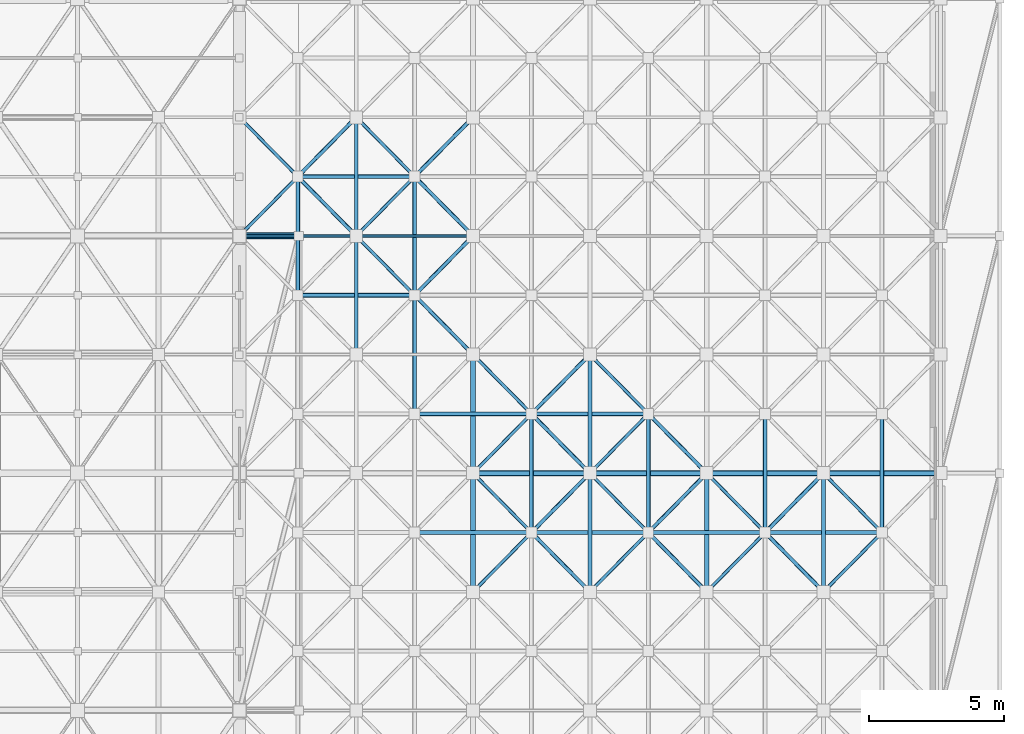
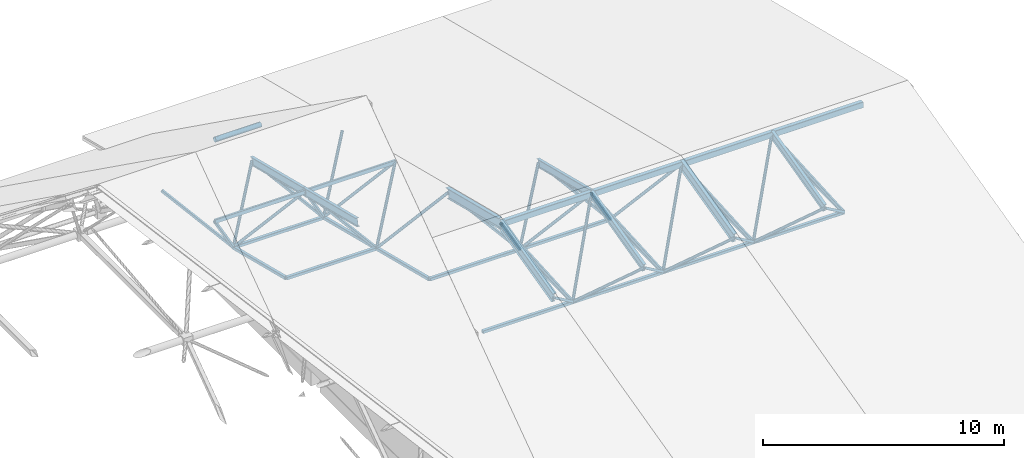
# One storey, part 29 of 55: 62 members.
"""IFC4 building model written with IfcOpenShell, lengths in metres."""

from ifc_helpers import new_model, si_unit, direction, frame, origin, origin_2d, place, context, subcontext, project, spatial, hollow_rectangle, hollow_circle, i_section, extrude, material, material_profile, profile_set, type_object, element, save


model = new_model("IFC4")

# Units and contexts
model_context = context("Model", 3, precision=1e-05, world=origin(), true_north=direction((0.0, 1.0)))
body_context = subcontext(model_context, "Body", "Model", "MODEL_VIEW")
ifc_project = project(units=[si_unit("LENGTHUNIT", "METRE"), si_unit("AREAUNIT", "SQUARE_METRE"), si_unit("VOLUMEUNIT", "CUBIC_METRE"), si_unit("PLANEANGLEUNIT", "RADIAN"), si_unit("MASSUNIT", "GRAM", prefix="KILO")], contexts=[model_context])

# Site, building, storey
site_placement = place(None, origin())
site = spatial("IfcSite", under=ifc_project, at=site_placement, CompositionType="ELEMENT")
building_placement = place(site_placement, origin())
building = spatial("IfcBuilding", under=site, at=building_placement, Name="Varnakota Cinema and Media Centre", CompositionType="ELEMENT")
storey_placement = place(building_placement, frame((0.0, 0.0, 15.60009765625)))
storey = spatial("IfcBuildingStorey", under=building, at=storey_placement, Name="L04", CompositionType="ELEMENT", Elevation=15.60009765625)

# Members
ifc_material_1 = material(Name="Structural steel S355 (YSt 355)", Category="steel")
ifc_material_profile_1 = material_profile(ifc_material_1, hollow_circle(Radius=0.06982421875, WallThickness=0.006103515625, at=origin_2d()), Name="CHS 139.7x6.0")
ifc_profile_set_1 = profile_set([ifc_material_profile_1], Name="Structural steel S355 (YSt 355)")
member_type_1 = type_object("IfcMemberType", Name="MEM-ST-CHS139_7x6_0", PredefinedType="CHORD", material=ifc_profile_set_1)
member_1_placement = place(storey_placement, frame((137.166748046875, 28.60009765625, -0.9501953125), z_axis=(0.471697516726, -0.479032907453, 0.740289758333), x_axis=(0.7125412777, 0.701630192889, 0.0)))
element("IfcMember", 1, at=member_1_placement, inside=storey, type_object=member_type_1, Name="V2 space-truss diagonal 1.7.2", PredefinedType="CHORD", context=body_context, shape_type="SweptSolid", body=[
    extrude(hollow_circle(Radius=0.06982421875, WallThickness=0.006103515625, at=origin_2d()), origin(), (0.0, 0.0, 1.0), 4.593017578125),
])
member_2_placement = place(storey_placement, frame((137.166748046875, 28.60009765625, -0.9501953125), z_axis=(0.562704581049, 0.571391816523, 0.59739011247), x_axis=(-0.712502351494, 0.701669722246, 0.0)))
element("IfcMember", 2, at=member_2_placement, inside=storey, type_object=member_type_1, Name="V2 space-truss diagonal 1.7.4", PredefinedType="CHORD", context=body_context, shape_type="SweptSolid", body=[
    extrude(hollow_circle(Radius=0.06982421875, WallThickness=0.006103515625, at=origin_2d()), origin(), (0.0, 0.0, 1.0), 3.85009765625),
])
member_3_placement = place(storey_placement, frame((141.5, 24.199951171875, 0.14990234375), z_axis=(0.47176941823, -0.478998786216, 0.74026601896), x_axis=(0.712462822052, 0.701709859695, 0.0)))
element("IfcMember", 3, at=member_3_placement, inside=storey, type_object=member_type_1, Name="V2 space-truss diagonal 2.6.2", PredefinedType="CHORD", context=body_context, shape_type="SweptSolid", body=[
    extrude(hollow_circle(Radius=0.06982421875, WallThickness=0.006103515625, at=origin_2d()), origin(), (0.0, 0.0, 1.0), 4.5927734375),
])
member_4_placement = place(storey_placement, frame((141.5, 24.199951171875, 0.14990234375), z_axis=(0.562747911139, 0.571371428425, 0.597368796714), x_axis=(-0.712462822052, 0.701709859695, 0.0)))
element("IfcMember", 4, at=member_4_placement, inside=storey, type_object=member_type_1, Name="V2 space-truss diagonal 2.6.4", PredefinedType="CHORD", context=body_context, shape_type="SweptSolid", body=[
    extrude(hollow_circle(Radius=0.06982421875, WallThickness=0.006103515625, at=origin_2d()), origin(), (0.0, 0.0, 1.0), 3.850341796875),
])
member_5_placement = place(storey_placement, frame((141.5, 28.60009765625, -0.9501953125), z_axis=(0.471738843265, -0.479020896395, 0.740271196638), x_axis=(0.712501750553, 0.701670332463, 0.0)))
element("IfcMember", 5, at=member_5_placement, inside=storey, type_object=member_type_1, Name="V2 space-truss diagonal 2.7.2", PredefinedType="CHORD", context=body_context, shape_type="SweptSolid", body=[
    extrude(hollow_circle(Radius=0.06982421875, WallThickness=0.006103515625, at=origin_2d()), origin(), (0.0, 0.0, 1.0), 4.593017578125),
])
member_6_placement = place(storey_placement, frame((141.5, 28.60009765625, -0.9501953125), z_axis=(0.562747911139, 0.571371428425, 0.597368796714), x_axis=(-0.712462822052, 0.701709859695, 0.0)))
element("IfcMember", 6, at=member_6_placement, inside=storey, type_object=member_type_1, Name="V2 space-truss diagonal 2.7.4", PredefinedType="CHORD", context=body_context, shape_type="SweptSolid", body=[
    extrude(hollow_circle(Radius=0.06982421875, WallThickness=0.006103515625, at=origin_2d()), origin(), (0.0, 0.0, 1.0), 3.850341796875),
])
member_7_placement = place(storey_placement, frame((145.833251953125, 15.39990234375, 1.25), z_axis=(0.562769227034, -0.571393070964, 0.597328013371), x_axis=(0.712462822052, 0.701709859695, 0.0)))
element("IfcMember", 7, at=member_7_placement, inside=storey, type_object=member_type_1, Name="V2 space-truss diagonal 3.4.2", PredefinedType="CHORD", context=body_context, shape_type="SweptSolid", body=[
    extrude(hollow_circle(Radius=0.06982421875, WallThickness=0.006103515625, at=origin_2d()), origin(), (0.0, 0.0, 1.0), 3.85009765625),
])
member_8_placement = place(storey_placement, frame((145.833251953125, 15.39990234375, 1.25), z_axis=(0.471757405737, 0.479039745409, 0.740247169836), x_axis=(-0.712501750553, 0.701670332463, 0.0)))
element("IfcMember", 8, at=member_8_placement, inside=storey, type_object=member_type_1, Name="V2 space-truss diagonal 3.4.4", PredefinedType="CHORD", context=body_context, shape_type="SweptSolid", body=[
    extrude(hollow_circle(Radius=0.06982421875, WallThickness=0.006103515625, at=origin_2d()), origin(), (0.0, 0.0, 1.0), 4.593017578125),
])
member_9_placement = place(storey_placement, frame((145.833251953125, 19.800048828125, 1.25), z_axis=(0.47176941823, -0.478998786216, 0.74026601896), x_axis=(0.712462822052, 0.701709859695, 0.0)))
element("IfcMember", 9, at=member_9_placement, inside=storey, type_object=member_type_1, Name="V2 space-truss diagonal 3.5.2", PredefinedType="CHORD", context=body_context, shape_type="SweptSolid", body=[
    extrude(hollow_circle(Radius=0.06982421875, WallThickness=0.006103515625, at=origin_2d()), origin(), (0.0, 0.0, 1.0), 4.5927734375),
])
for number, where, z_axis, x_axis, name in (
    (10, (145.833251953125, 19.800048828125, 1.25), (0.562769227034, 0.571393070964, 0.597328013371), (-0.712462822052, 0.701709859695, 0.0), "V2 space-truss diagonal 3.5.4"),
    (11, (150.166748046875, 15.39990234375, 1.25), (0.562725896824, -0.571413461379, 0.597349329286), (0.712502351494, 0.701669722246, 0.0), "V2 space-truss diagonal 4.4.2"),
):
    element("IfcMember", number, at=place(storey_placement, frame(where, z_axis=z_axis, x_axis=x_axis)), inside=storey, type_object=member_type_1, Name=name, PredefinedType="CHORD", context=body_context, shape_type="SweptSolid", body=[
        extrude(hollow_circle(Radius=0.06982421875, WallThickness=0.006103515625, at=origin_2d()), origin(), (0.0, 0.0, 1.0), 3.85009765625),
    ])
for number, where, z_axis, x_axis, name in (
    (12, (150.166748046875, 15.39990234375, 1.25), (0.471716078502, 0.479051757884, 0.74026573239), (-0.7125412777, 0.701630192889, 0.0), "V2 space-truss diagonal 4.4.4"),
    (13, (150.166748046875, 19.800048828125, 1.25), (0.471728090545, -0.479010798276, 0.740284582931), (0.712502351494, 0.701669722246, 0.0), "V2 space-truss diagonal 4.5.2"),
):
    element("IfcMember", number, at=place(storey_placement, frame(where, z_axis=z_axis, x_axis=x_axis)), inside=storey, type_object=member_type_1, Name=name, PredefinedType="CHORD", context=body_context, shape_type="SweptSolid", body=[
        extrude(hollow_circle(Radius=0.06982421875, WallThickness=0.006103515625, at=origin_2d()), origin(), (0.0, 0.0, 1.0), 4.5927734375),
    ])
member_10_placement = place(storey_placement, frame((154.5, 15.39990234375, 1.25), z_axis=(0.562769227034, -0.571393070964, 0.597328013371), x_axis=(0.712462822052, 0.701709859695, 0.0)))
element("IfcMember", 14, at=member_10_placement, inside=storey, type_object=member_type_1, Name="V2 space-truss diagonal 5.4.2", PredefinedType="CHORD", context=body_context, shape_type="SweptSolid", body=[
    extrude(hollow_circle(Radius=0.06982421875, WallThickness=0.006103515625, at=origin_2d()), origin(), (0.0, 0.0, 1.0), 3.85009765625),
])
member_11_placement = place(storey_placement, frame((154.5, 15.39990234375, 1.25), z_axis=(0.471757405737, 0.479039745409, 0.740247169836), x_axis=(-0.712501750553, 0.701670332463, 0.0)))
element("IfcMember", 15, at=member_11_placement, inside=storey, type_object=member_type_1, Name="V2 space-truss diagonal 5.4.4", PredefinedType="CHORD", context=body_context, shape_type="SweptSolid", body=[
    extrude(hollow_circle(Radius=0.06982421875, WallThickness=0.006103515625, at=origin_2d()), origin(), (0.0, 0.0, 1.0), 4.593017578125),
])
ifc_material_2 = material(Name="Structural steel S355 (YSt 355)", Category="steel")
ifc_material_profile_2 = material_profile(ifc_material_2, hollow_circle(Radius=0.122314453125, WallThickness=0.008056640625, at=origin_2d()), Name="CHS 244.5x8.0")
ifc_profile_set_2 = profile_set([ifc_material_profile_2], Name="Structural steel S355 (YSt 355)")
member_type_2 = type_object("IfcMemberType", Name="MEM-ST-CHS244_5x8_0", PredefinedType="CHORD", material=ifc_profile_set_2)
member_12_placement = place(storey_placement, frame((135.0, 26.39990234375, 6.599853515625), z_axis=(1.0, 0.0, 0.0), x_axis=(0.0, 1.0, 0.0)))
element("IfcMember", 16, at=member_12_placement, inside=storey, type_object=member_type_2, Name="V1 E gable space-frame outrigger 4", PredefinedType="CHORD", context=body_context, shape_type="SweptSolid", body=[
    extrude(hollow_circle(Radius=0.122314453125, WallThickness=0.008056640625, at=origin_2d()), origin(), (0.0, 0.0, 1.0), 2.199951171875),
])
ifc_material_3 = material(Name="Structural steel Grade 350 (E350)", Category="steel")
ifc_material_profile_3 = material_profile(ifc_material_3, i_section(OverallWidth=0.139892578125, OverallDepth=0.39990234375, WebThickness=0.0087890625, FlangeThickness=0.01611328125, FilletRadius=0.013916015625, at=origin_2d()), Name="ISMB 400")
ifc_profile_set_3 = profile_set([ifc_material_profile_3], Name="Structural steel Grade 350 (E350)")
member_type_3 = type_object("IfcMemberType", Name="MEM-ST-ISMB400", PredefinedType="RAFTER", material=ifc_profile_set_3)
member_13_placement = place(storey_placement, frame((139.333251953125, 22.0, 3.5498046875), z_axis=(0.0, 0.970148832916, -0.242510292547), x_axis=(-1.0, 0.0, 0.0)))
element("IfcMember", 17, at=member_13_placement, inside=storey, type_object=member_type_3, Name="V2 truss rafter 2.6", PredefinedType="RAFTER", context=body_context, shape_type="SweptSolid", body=[
    extrude(i_section(OverallWidth=0.139892578125, OverallDepth=0.39990234375, WebThickness=0.0087890625, FlangeThickness=0.01611328125, FilletRadius=0.013916015625, at=origin_2d()), origin(), (0.0, 0.0, 1.0), 4.535400390625),
])
for number, where, z_axis, x_axis, name in (
    (18, (139.333251953125, 26.39990234375, 2.449951171875), (0.0, 0.970139333719, -0.242548290392), (-1.0, 0.0, 0.0), "V2 truss rafter 2.7"),
    (19, (148.0, 13.199951171875, 3.5498046875), (0.0, 0.970139333719, 0.242548290392), (-1.0, 0.0, 0.0), "V2 truss rafter 4.4"),
):
    element("IfcMember", number, at=place(storey_placement, frame(where, z_axis=z_axis, x_axis=x_axis)), inside=storey, type_object=member_type_3, Name=name, PredefinedType="RAFTER", context=body_context, shape_type="SweptSolid", body=[
        extrude(i_section(OverallWidth=0.139892578125, OverallDepth=0.39990234375, WebThickness=0.0087890625, FlangeThickness=0.01611328125, FilletRadius=0.013916015625, at=origin_2d()), origin(), (0.0, 0.0, 1.0), 4.53564453125),
    ])
member_14_placement = place(storey_placement, frame((148.0, 17.60009765625, 4.64990234375), z_axis=(0.0, 0.970136166796, -0.242560957029), x_axis=(-1.0, 0.0, 0.0)))
element("IfcMember", 20, at=member_14_placement, inside=storey, type_object=member_type_3, Name="V2 truss rafter 4.5", PredefinedType="RAFTER", context=body_context, shape_type="SweptSolid", body=[
    extrude(i_section(OverallWidth=0.139892578125, OverallDepth=0.39990234375, WebThickness=0.0087890625, FlangeThickness=0.01611328125, FilletRadius=0.013916015625, at=origin_2d()), origin(), (0.0, 0.0, 1.0), 4.535400390625),
])
member_15_placement = place(storey_placement, frame((156.666748046875, 13.199951171875, 3.5498046875), z_axis=(0.0, 0.970139333719, 0.242548290392), x_axis=(-1.0, 0.0, 0.0)))
element("IfcMember", 21, at=member_15_placement, inside=storey, type_object=member_type_3, Name="V2 truss rafter 6.4", PredefinedType="RAFTER", context=body_context, shape_type="SweptSolid", body=[
    extrude(i_section(OverallWidth=0.139892578125, OverallDepth=0.39990234375, WebThickness=0.0087890625, FlangeThickness=0.01611328125, FilletRadius=0.013916015625, at=origin_2d()), origin(), (0.0, 0.0, 1.0), 4.53564453125),
])
ifc_material_4 = material(Name="Structural steel Grade 350 (E350)", Category="steel")
ifc_material_profile_4 = material_profile(ifc_material_4, i_section(OverallWidth=0.179931640625, OverallDepth=0.5, WebThickness=0.01025390625, FlangeThickness=0.01708984375, FilletRadius=0.01708984375, at=origin_2d()), Name="ISMB 500")
ifc_profile_set_4 = profile_set([ifc_material_profile_4], Name="Structural steel Grade 350 (E350)")
member_type_4 = type_object("IfcMemberType", Name="MEM-ST-ISMB500", PredefinedType="RAFTER", material=ifc_profile_set_4)
member_16_placement = place(storey_placement, frame((143.666748046875, 13.199951171875, 3.5498046875), z_axis=(0.0, 0.970139333719, 0.242548290392), x_axis=(-1.0, 0.0, 0.0)))
element("IfcMember", 22, at=member_16_placement, inside=storey, type_object=member_type_4, Name="V2 truss rafter 3.4", PredefinedType="RAFTER", context=body_context, shape_type="SweptSolid", body=[
    extrude(i_section(OverallWidth=0.179931640625, OverallDepth=0.5, WebThickness=0.01025390625, FlangeThickness=0.01708984375, FilletRadius=0.01708984375, at=origin_2d()), origin(), (0.0, 0.0, 1.0), 4.53564453125),
])
member_17_placement = place(storey_placement, frame((143.666748046875, 17.60009765625, 4.64990234375), z_axis=(0.0, 0.970136166796, -0.242560957029), x_axis=(-1.0, 0.0, 0.0)))
element("IfcMember", 23, at=member_17_placement, inside=storey, type_object=member_type_4, Name="V2 truss rafter 3.5", PredefinedType="RAFTER", context=body_context, shape_type="SweptSolid", body=[
    extrude(i_section(OverallWidth=0.179931640625, OverallDepth=0.5, WebThickness=0.01025390625, FlangeThickness=0.01708984375, FilletRadius=0.01708984375, at=origin_2d()), origin(), (0.0, 0.0, 1.0), 4.535400390625),
])
member_18_placement = place(storey_placement, frame((152.333251953125, 13.199951171875, 3.5498046875), z_axis=(0.0, 0.970139333719, 0.242548290392), x_axis=(-1.0, 0.0, 0.0)))
element("IfcMember", 24, at=member_18_placement, inside=storey, type_object=member_type_4, Name="V2 truss rafter 5.4", PredefinedType="RAFTER", context=body_context, shape_type="SweptSolid", body=[
    extrude(i_section(OverallWidth=0.179931640625, OverallDepth=0.5, WebThickness=0.01025390625, FlangeThickness=0.01708984375, FilletRadius=0.01708984375, at=origin_2d()), origin(), (0.0, 0.0, 1.0), 4.53564453125),
])
ifc_material_5 = material(Name="Structural steel S355 (YSt 355)", Category="steel")
ifc_material_profile_5 = material_profile(ifc_material_5, hollow_rectangle(XDim=0.10009765625, YDim=0.199951171875, WallThickness=0.006103515625, InnerFilletRadius=0.006103515625, OuterFilletRadius=0.011962890625, at=origin_2d()), Name="RHS 200x100x6")
ifc_profile_set_5 = profile_set([ifc_material_profile_5], Name="Structural steel S355 (YSt 355)")
member_type_5 = type_object("IfcMemberType", Name="MEM-ST-RHS200x100x6", PredefinedType="PURLIN", material=ifc_profile_set_5)
member_19_placement = place(storey_placement, frame((135.0, 26.39990234375, 2.449951171875), z_axis=(1.0, 0.0, 0.0), x_axis=(0.0, 1.0, 0.0)))
element("IfcMember", 25, at=member_19_placement, inside=storey, type_object=member_type_5, Name="V2 top chord 1.7", PredefinedType="PURLIN", context=body_context, shape_type="SweptSolid", body=[
    extrude(hollow_rectangle(XDim=0.10009765625, YDim=0.199951171875, WallThickness=0.006103515625, InnerFilletRadius=0.006103515625, OuterFilletRadius=0.011962890625, at=origin_2d()), origin(), (0.0, 0.0, 1.0), 4.333251953125),
])
member_20_placement = place(storey_placement, frame((139.333251953125, 26.39990234375, 2.449951171875), z_axis=(1.0, 0.0, 0.0), x_axis=(0.0, 1.0, 0.0)))
element("IfcMember", 26, at=member_20_placement, inside=storey, type_object=member_type_5, Name="V2 top chord 2.7", PredefinedType="PURLIN", context=body_context, shape_type="SweptSolid", body=[
    extrude(hollow_rectangle(XDim=0.10009765625, YDim=0.199951171875, WallThickness=0.006103515625, InnerFilletRadius=0.006103515625, OuterFilletRadius=0.011962890625, at=origin_2d()), origin(), (0.0, 0.0, 1.0), 4.33349609375),
])
ifc_material_6 = material(Name="Structural steel S355 (YSt 355)", Category="steel")
ifc_material_profile_6 = material_profile(ifc_material_6, hollow_rectangle(XDim=0.199951171875, YDim=0.300048828125, WallThickness=0.010009765625, InnerFilletRadius=0.010009765625, OuterFilletRadius=0.02001953125, at=origin_2d()), Name="RHS 300x200x10")
ifc_profile_set_6 = profile_set([ifc_material_profile_6], Name="Structural steel S355 (YSt 355)")
member_type_6 = type_object("IfcMemberType", Name="MEM-ST-RHS300x200x10", PredefinedType="PURLIN", material=ifc_profile_set_6)
for number, where, z_axis, x_axis, name in (
    (27, (143.666748046875, 17.60009765625, 4.64990234375), (1.0, 0.0, 0.0), (0.0, 1.0, 0.0), "V2 top chord 3.5"),
    (28, (148.0, 17.60009765625, 4.64990234375), (1.0, 0.0, 0.0), (0.0, 1.0, 0.0), "V2 top chord 4.5"),
):
    element("IfcMember", number, at=place(storey_placement, frame(where, z_axis=z_axis, x_axis=x_axis)), inside=storey, type_object=member_type_6, Name=name, PredefinedType="PURLIN", context=body_context, shape_type="SweptSolid", body=[
        extrude(hollow_rectangle(XDim=0.199951171875, YDim=0.300048828125, WallThickness=0.010009765625, InnerFilletRadius=0.010009765625, OuterFilletRadius=0.02001953125, at=origin_2d()), origin(), (0.0, 0.0, 1.0), 4.333251953125),
    ])
member_21_placement = place(storey_placement, frame((152.333251953125, 17.60009765625, 4.64990234375), z_axis=(1.0, 0.0, 0.0), x_axis=(0.0, 1.0, 0.0)))
element("IfcMember", 29, at=member_21_placement, inside=storey, type_object=member_type_6, Name="V2 top chord 5.5", PredefinedType="PURLIN", context=body_context, shape_type="SweptSolid", body=[
    extrude(hollow_rectangle(XDim=0.199951171875, YDim=0.300048828125, WallThickness=0.010009765625, InnerFilletRadius=0.010009765625, OuterFilletRadius=0.02001953125, at=origin_2d()), origin(), (0.0, 0.0, 1.0), 4.33349609375),
])
member_22_placement = place(storey_placement, frame((156.666748046875, 17.60009765625, 4.64990234375), z_axis=(1.0, 0.0, 0.0), x_axis=(0.0, 1.0, 0.0)))
element("IfcMember", 30, at=member_22_placement, inside=storey, type_object=member_type_6, Name="V2 top chord 6.5", PredefinedType="PURLIN", context=body_context, shape_type="SweptSolid", body=[
    extrude(hollow_rectangle(XDim=0.199951171875, YDim=0.300048828125, WallThickness=0.010009765625, InnerFilletRadius=0.010009765625, OuterFilletRadius=0.02001953125, at=origin_2d()), origin(), (0.0, 0.0, 1.0), 4.333251953125),
])
ifc_material_7 = material(Name="Structural steel S355 (YSt 355)", Category="steel")
ifc_material_profile_7 = material_profile(ifc_material_7, hollow_rectangle(XDim=0.1201171875, YDim=0.1201171875, WallThickness=0.006103515625, InnerFilletRadius=0.006103515625, OuterFilletRadius=0.011962890625, at=origin_2d()), Name="SHS 120x120x6")
ifc_profile_set_7 = profile_set([ifc_material_profile_7], Name="Structural steel S355 (YSt 355)")
member_type_7 = type_object("IfcMemberType", Name="MEM-ST-SHS120x120x6", PredefinedType="STRUT", material=ifc_profile_set_7)
member_23_placement = place(storey_placement, frame((137.166748046875, 28.60009765625, -0.9501953125), z_axis=(-0.471738843265, -0.479020896395, 0.740271196638), x_axis=(0.712501750553, -0.701670332463, 0.0)))
element("IfcMember", 31, at=member_23_placement, inside=storey, type_object=member_type_7, Name="V2 space-truss diagonal 1.7.1", PredefinedType="STRUT", context=body_context, shape_type="SweptSolid", body=[
    extrude(hollow_rectangle(XDim=0.1201171875, YDim=0.1201171875, WallThickness=0.006103515625, InnerFilletRadius=0.006103515625, OuterFilletRadius=0.011962890625, at=origin_2d()), origin(), (0.0, 0.0, 1.0), 4.593017578125),
])
for number, where, z_axis, x_axis, name in (
    (32, (137.166748046875, 28.60009765625, -0.9501953125), (-0.562747911139, 0.571371428425, 0.597368796714), (-0.712462822052, -0.701709859695, 0.0), "V2 space-truss diagonal 1.7.3"),
    (33, (141.5, 24.199951171875, 0.14990234375), (-0.562747911139, 0.571371428425, 0.597368796714), (-0.712462822052, -0.701709859695, 0.0), "V2 space-truss diagonal 2.6.3"),
):
    element("IfcMember", number, at=place(storey_placement, frame(where, z_axis=z_axis, x_axis=x_axis)), inside=storey, type_object=member_type_7, Name=name, PredefinedType="STRUT", context=body_context, shape_type="SweptSolid", body=[
        extrude(hollow_rectangle(XDim=0.1201171875, YDim=0.1201171875, WallThickness=0.006103515625, InnerFilletRadius=0.006103515625, OuterFilletRadius=0.011962890625, at=origin_2d()), origin(), (0.0, 0.0, 1.0), 3.850341796875),
    ])
member_24_placement = place(storey_placement, frame((141.5, 28.60009765625, -0.9501953125), z_axis=(-0.471738843265, -0.479020896395, 0.740271196638), x_axis=(0.712501750553, -0.701670332463, 0.0)))
element("IfcMember", 34, at=member_24_placement, inside=storey, type_object=member_type_7, Name="V2 space-truss diagonal 2.7.1", PredefinedType="STRUT", context=body_context, shape_type="SweptSolid", body=[
    extrude(hollow_rectangle(XDim=0.1201171875, YDim=0.1201171875, WallThickness=0.006103515625, InnerFilletRadius=0.006103515625, OuterFilletRadius=0.011962890625, at=origin_2d()), origin(), (0.0, 0.0, 1.0), 4.593017578125),
])
member_25_placement = place(storey_placement, frame((141.5, 28.60009765625, -0.9501953125), z_axis=(-0.562747911139, 0.571371428425, 0.597368796714), x_axis=(-0.712462822052, -0.701709859695, 0.0)))
element("IfcMember", 35, at=member_25_placement, inside=storey, type_object=member_type_7, Name="V2 space-truss diagonal 2.7.3", PredefinedType="STRUT", context=body_context, shape_type="SweptSolid", body=[
    extrude(hollow_rectangle(XDim=0.1201171875, YDim=0.1201171875, WallThickness=0.006103515625, InnerFilletRadius=0.006103515625, OuterFilletRadius=0.011962890625, at=origin_2d()), origin(), (0.0, 0.0, 1.0), 3.850341796875),
])
member_26_placement = place(storey_placement, frame((145.833251953125, 15.39990234375, 1.25), z_axis=(-0.562725896824, -0.571413461379, 0.597349329286), x_axis=(0.712502351494, -0.701669722246, 0.0)))
element("IfcMember", 36, at=member_26_placement, inside=storey, type_object=member_type_7, Name="V2 space-truss diagonal 3.4.1", PredefinedType="STRUT", context=body_context, shape_type="SweptSolid", body=[
    extrude(hollow_rectangle(XDim=0.1201171875, YDim=0.1201171875, WallThickness=0.006103515625, InnerFilletRadius=0.006103515625, OuterFilletRadius=0.011962890625, at=origin_2d()), origin(), (0.0, 0.0, 1.0), 3.85009765625),
])
for number, where, z_axis, x_axis, name in (
    (37, (145.833251953125, 15.39990234375, 1.25), (-0.471716078502, 0.479051757884, 0.74026573239), (-0.7125412777, -0.701630192889, 0.0), "V2 space-truss diagonal 3.4.3"),
    (38, (145.833251953125, 19.800048828125, 1.25), (-0.471728090545, -0.479010798276, 0.740284582931), (0.712502351494, -0.701669722246, 0.0), "V2 space-truss diagonal 3.5.1"),
):
    element("IfcMember", number, at=place(storey_placement, frame(where, z_axis=z_axis, x_axis=x_axis)), inside=storey, type_object=member_type_7, Name=name, PredefinedType="STRUT", context=body_context, shape_type="SweptSolid", body=[
        extrude(hollow_rectangle(XDim=0.1201171875, YDim=0.1201171875, WallThickness=0.006103515625, InnerFilletRadius=0.006103515625, OuterFilletRadius=0.011962890625, at=origin_2d()), origin(), (0.0, 0.0, 1.0), 4.5927734375),
    ])
for number, where, z_axis, x_axis, name in (
    (39, (145.833251953125, 19.800048828125, 1.25), (-0.562725896824, 0.571413461379, 0.597349329286), (-0.712502351494, -0.701669722246, 0.0), "V2 space-truss diagonal 3.5.3"),
    (40, (150.166748046875, 15.39990234375, 1.25), (-0.562769227034, -0.571393070964, 0.597328013371), (0.712462822052, -0.701709859695, 0.0), "V2 space-truss diagonal 4.4.1"),
):
    element("IfcMember", number, at=place(storey_placement, frame(where, z_axis=z_axis, x_axis=x_axis)), inside=storey, type_object=member_type_7, Name=name, PredefinedType="STRUT", context=body_context, shape_type="SweptSolid", body=[
        extrude(hollow_rectangle(XDim=0.1201171875, YDim=0.1201171875, WallThickness=0.006103515625, InnerFilletRadius=0.006103515625, OuterFilletRadius=0.011962890625, at=origin_2d()), origin(), (0.0, 0.0, 1.0), 3.85009765625),
    ])
member_27_placement = place(storey_placement, frame((150.166748046875, 15.39990234375, 1.25), z_axis=(-0.471757405737, 0.479039745409, 0.740247169836), x_axis=(-0.712501750553, -0.701670332463, 0.0)))
element("IfcMember", 41, at=member_27_placement, inside=storey, type_object=member_type_7, Name="V2 space-truss diagonal 4.4.3", PredefinedType="STRUT", context=body_context, shape_type="SweptSolid", body=[
    extrude(hollow_rectangle(XDim=0.1201171875, YDim=0.1201171875, WallThickness=0.006103515625, InnerFilletRadius=0.006103515625, OuterFilletRadius=0.011962890625, at=origin_2d()), origin(), (0.0, 0.0, 1.0), 4.593017578125),
])
member_28_placement = place(storey_placement, frame((150.166748046875, 19.800048828125, 1.25), z_axis=(-0.47176941823, -0.478998786216, 0.74026601896), x_axis=(0.712462822052, -0.701709859695, 0.0)))
element("IfcMember", 42, at=member_28_placement, inside=storey, type_object=member_type_7, Name="V2 space-truss diagonal 4.5.1", PredefinedType="STRUT", context=body_context, shape_type="SweptSolid", body=[
    extrude(hollow_rectangle(XDim=0.1201171875, YDim=0.1201171875, WallThickness=0.006103515625, InnerFilletRadius=0.006103515625, OuterFilletRadius=0.011962890625, at=origin_2d()), origin(), (0.0, 0.0, 1.0), 4.5927734375),
])
for number, where, z_axis, x_axis, name in (
    (43, (150.166748046875, 19.800048828125, 1.25), (-0.562769227034, 0.571393070964, 0.597328013371), (-0.712462822052, -0.701709859695, 0.0), "V2 space-truss diagonal 4.5.3"),
    (44, (154.5, 15.39990234375, 1.25), (-0.562769227034, -0.571393070964, 0.597328013371), (0.712462822052, -0.701709859695, 0.0), "V2 space-truss diagonal 5.4.1"),
):
    element("IfcMember", number, at=place(storey_placement, frame(where, z_axis=z_axis, x_axis=x_axis)), inside=storey, type_object=member_type_7, Name=name, PredefinedType="STRUT", context=body_context, shape_type="SweptSolid", body=[
        extrude(hollow_rectangle(XDim=0.1201171875, YDim=0.1201171875, WallThickness=0.006103515625, InnerFilletRadius=0.006103515625, OuterFilletRadius=0.011962890625, at=origin_2d()), origin(), (0.0, 0.0, 1.0), 3.85009765625),
    ])
member_29_placement = place(storey_placement, frame((154.5, 15.39990234375, 1.25), z_axis=(-0.471757405737, 0.479039745409, 0.740247169836), x_axis=(-0.712501750553, -0.701670332463, 0.0)))
element("IfcMember", 45, at=member_29_placement, inside=storey, type_object=member_type_7, Name="V2 space-truss diagonal 5.4.3", PredefinedType="STRUT", context=body_context, shape_type="SweptSolid", body=[
    extrude(hollow_rectangle(XDim=0.1201171875, YDim=0.1201171875, WallThickness=0.006103515625, InnerFilletRadius=0.006103515625, OuterFilletRadius=0.011962890625, at=origin_2d()), origin(), (0.0, 0.0, 1.0), 4.593017578125),
])
member_30_placement = place(storey_placement, frame((158.833251953125, 15.39990234375, 1.25), z_axis=(-0.562725896824, -0.571413461379, 0.597349329286), x_axis=(0.712502351494, -0.701669722246, 0.0)))
element("IfcMember", 46, at=member_30_placement, inside=storey, type_object=member_type_7, Name="V2 space-truss diagonal 6.4.1", PredefinedType="STRUT", context=body_context, shape_type="SweptSolid", body=[
    extrude(hollow_rectangle(XDim=0.1201171875, YDim=0.1201171875, WallThickness=0.006103515625, InnerFilletRadius=0.006103515625, OuterFilletRadius=0.011962890625, at=origin_2d()), origin(), (0.0, 0.0, 1.0), 3.85009765625),
])
member_31_placement = place(storey_placement, frame((158.833251953125, 15.39990234375, 1.25), z_axis=(-0.471716078502, 0.479051757884, 0.74026573239), x_axis=(-0.7125412777, -0.701630192889, 0.0)))
element("IfcMember", 47, at=member_31_placement, inside=storey, type_object=member_type_7, Name="V2 space-truss diagonal 6.4.3", PredefinedType="STRUT", context=body_context, shape_type="SweptSolid", body=[
    extrude(hollow_rectangle(XDim=0.1201171875, YDim=0.1201171875, WallThickness=0.006103515625, InnerFilletRadius=0.006103515625, OuterFilletRadius=0.011962890625, at=origin_2d()), origin(), (0.0, 0.0, 1.0), 4.5927734375),
])
ifc_material_8 = material(Name="Structural steel S355 (YSt 355)", Category="steel")
ifc_material_profile_8 = material_profile(ifc_material_8, hollow_rectangle(XDim=0.14990234375, YDim=0.14990234375, WallThickness=0.008056640625, InnerFilletRadius=0.008056640625, OuterFilletRadius=0.01611328125, at=origin_2d()), Name="SHS 150x150x8")
ifc_profile_set_8 = profile_set([ifc_material_profile_8], Name="Structural steel S355 (YSt 355)")
member_type_8 = type_object("IfcMemberType", Name="MEM-ST-SHS150x150x8", PredefinedType="STRUT", material=ifc_profile_set_8)
for number, where, z_axis, x_axis, name in (
    (48, (137.166748046875, 24.199951171875, 0.14990234375), (1.0, 0.0, 0.0), (0.0, 1.0, 0.0), "V2 bottom longitudinal chord 1.6"),
    (49, (137.166748046875, 28.60009765625, -0.9501953125), (1.0, 0.0, 0.0), (0.0, 1.0, 0.0), "V2 bottom longitudinal chord 1.7"),
    (50, (141.5, 15.39990234375, 1.25), (1.0, 0.0, 0.0), (0.0, 1.0, 0.0), "V2 bottom longitudinal chord 2.4"),
    (51, (141.5, 19.800048828125, 1.25), (1.0, 0.0, 0.0), (0.0, 1.0, 0.0), "V2 bottom longitudinal chord 2.5"),
):
    element("IfcMember", number, at=place(storey_placement, frame(where, z_axis=z_axis, x_axis=x_axis)), inside=storey, type_object=member_type_8, Name=name, PredefinedType="STRUT", context=body_context, shape_type="SweptSolid", body=[
        extrude(hollow_rectangle(XDim=0.14990234375, YDim=0.14990234375, WallThickness=0.008056640625, InnerFilletRadius=0.008056640625, OuterFilletRadius=0.01611328125, at=origin_2d()), origin(), (0.0, 0.0, 1.0), 4.333251953125),
    ])
for number, where, z_axis, x_axis, name in (
    (52, (145.833251953125, 15.39990234375, 1.25), (1.0, 0.0, 0.0), (0.0, 1.0, 0.0), "V2 bottom longitudinal chord 3.4"),
    (53, (145.833251953125, 19.800048828125, 1.25), (1.0, 0.0, 0.0), (0.0, 1.0, 0.0), "V2 bottom longitudinal chord 3.5"),
):
    element("IfcMember", number, at=place(storey_placement, frame(where, z_axis=z_axis, x_axis=x_axis)), inside=storey, type_object=member_type_8, Name=name, PredefinedType="STRUT", context=body_context, shape_type="SweptSolid", body=[
        extrude(hollow_rectangle(XDim=0.14990234375, YDim=0.14990234375, WallThickness=0.008056640625, InnerFilletRadius=0.008056640625, OuterFilletRadius=0.01611328125, at=origin_2d()), origin(), (0.0, 0.0, 1.0), 4.33349609375),
    ])
for number, where, z_axis, x_axis, name in (
    (54, (150.166748046875, 15.39990234375, 1.25), (1.0, 0.0, 0.0), (0.0, 1.0, 0.0), "V2 bottom longitudinal chord 4.4"),
    (55, (154.5, 15.39990234375, 1.25), (1.0, 0.0, 0.0), (0.0, 1.0, 0.0), "V2 bottom longitudinal chord 5.4"),
):
    element("IfcMember", number, at=place(storey_placement, frame(where, z_axis=z_axis, x_axis=x_axis)), inside=storey, type_object=member_type_8, Name=name, PredefinedType="STRUT", context=body_context, shape_type="SweptSolid", body=[
        extrude(hollow_rectangle(XDim=0.14990234375, YDim=0.14990234375, WallThickness=0.008056640625, InnerFilletRadius=0.008056640625, OuterFilletRadius=0.01611328125, at=origin_2d()), origin(), (0.0, 0.0, 1.0), 4.333251953125),
    ])
member_32_placement = place(storey_placement, frame((137.166748046875, 24.199951171875, 0.14990234375), z_axis=(0.0, 0.970139333719, -0.242548290392), x_axis=(-1.0, 0.0, 0.0)))
element("IfcMember", 56, at=member_32_placement, inside=storey, type_object=member_type_8, Name="V2 bottom transverse chord 1.6", PredefinedType="STRUT", context=body_context, shape_type="SweptSolid", body=[
    extrude(hollow_rectangle(XDim=0.14990234375, YDim=0.14990234375, WallThickness=0.008056640625, InnerFilletRadius=0.008056640625, OuterFilletRadius=0.01611328125, at=origin_2d()), origin(), (0.0, 0.0, 1.0), 4.53564453125),
])
member_33_placement = place(storey_placement, frame((141.5, 19.800048828125, 1.25), z_axis=(0.0, 0.970136166796, -0.242560957029), x_axis=(-1.0, 0.0, 0.0)))
element("IfcMember", 57, at=member_33_placement, inside=storey, type_object=member_type_8, Name="V2 bottom transverse chord 2.5", PredefinedType="STRUT", context=body_context, shape_type="SweptSolid", body=[
    extrude(hollow_rectangle(XDim=0.14990234375, YDim=0.14990234375, WallThickness=0.008056640625, InnerFilletRadius=0.008056640625, OuterFilletRadius=0.01611328125, at=origin_2d()), origin(), (0.0, 0.0, 1.0), 4.535400390625),
])
member_34_placement = place(storey_placement, frame((141.5, 24.199951171875, 0.14990234375), z_axis=(0.0, 0.970139333719, -0.242548290392), x_axis=(-1.0, 0.0, 0.0)))
element("IfcMember", 58, at=member_34_placement, inside=storey, type_object=member_type_8, Name="V2 bottom transverse chord 2.6", PredefinedType="STRUT", context=body_context, shape_type="SweptSolid", body=[
    extrude(hollow_rectangle(XDim=0.14990234375, YDim=0.14990234375, WallThickness=0.008056640625, InnerFilletRadius=0.008056640625, OuterFilletRadius=0.01611328125, at=origin_2d()), origin(), (0.0, 0.0, 1.0), 4.53564453125),
])
for number, where, z_axis, x_axis, name in (
    (59, (145.833251953125, 15.39990234375, 1.25), (0.0, 1.0, 0.0), (-1.0, 0.0, 0.0), "V2 bottom transverse chord 3.4"),
    (60, (150.166748046875, 15.39990234375, 1.25), (0.0, 1.0, 0.0), (-1.0, 0.0, 0.0), "V2 bottom transverse chord 4.4"),
    (61, (154.5, 15.39990234375, 1.25), (0.0, 1.0, 0.0), (-1.0, 0.0, 0.0), "V2 bottom transverse chord 5.4"),
    (62, (158.833251953125, 15.39990234375, 1.25), (0.0, 1.0, 0.0), (-1.0, 0.0, 0.0), "V2 bottom transverse chord 6.4"),
):
    element("IfcMember", number, at=place(storey_placement, frame(where, z_axis=z_axis, x_axis=x_axis)), inside=storey, type_object=member_type_8, Name=name, PredefinedType="STRUT", context=body_context, shape_type="SweptSolid", body=[
        extrude(hollow_rectangle(XDim=0.14990234375, YDim=0.14990234375, WallThickness=0.008056640625, InnerFilletRadius=0.008056640625, OuterFilletRadius=0.01611328125, at=origin_2d()), origin(), (0.0, 0.0, 1.0), 4.400146484375),
    ])

save(model, "model.ifc")
